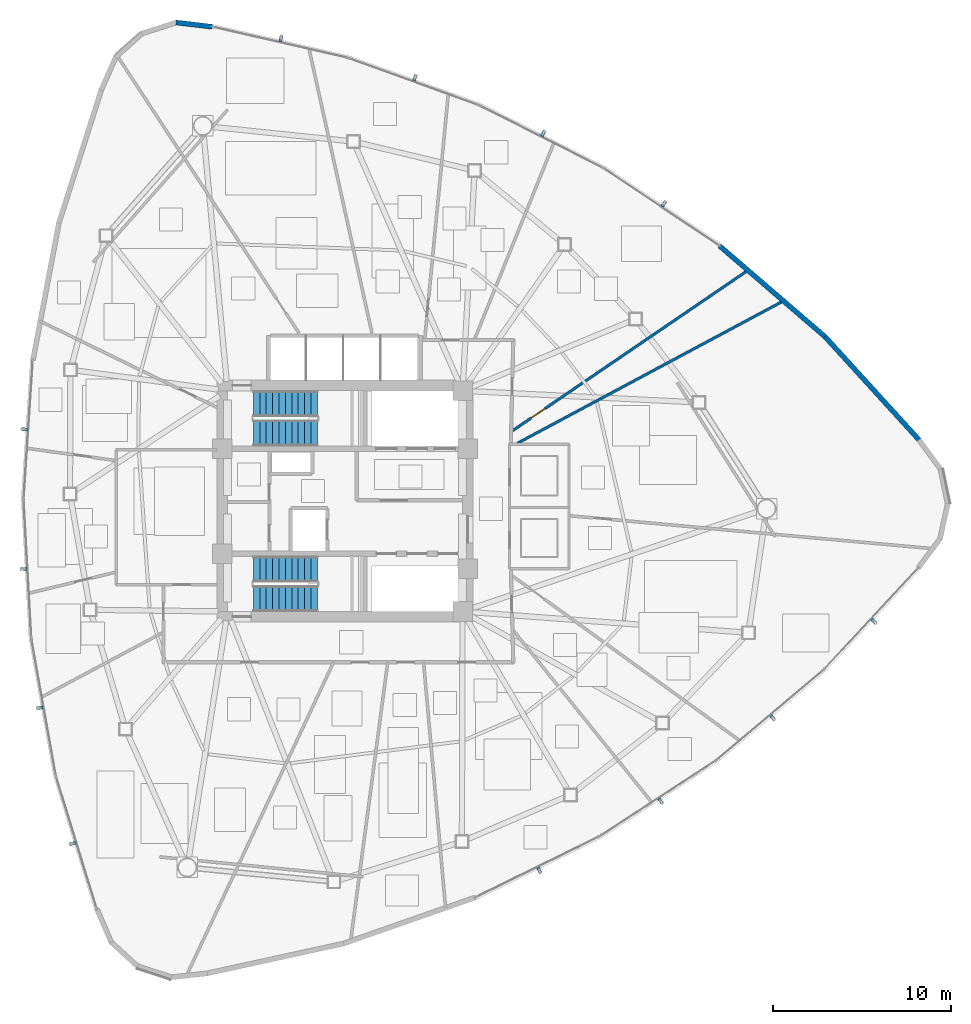
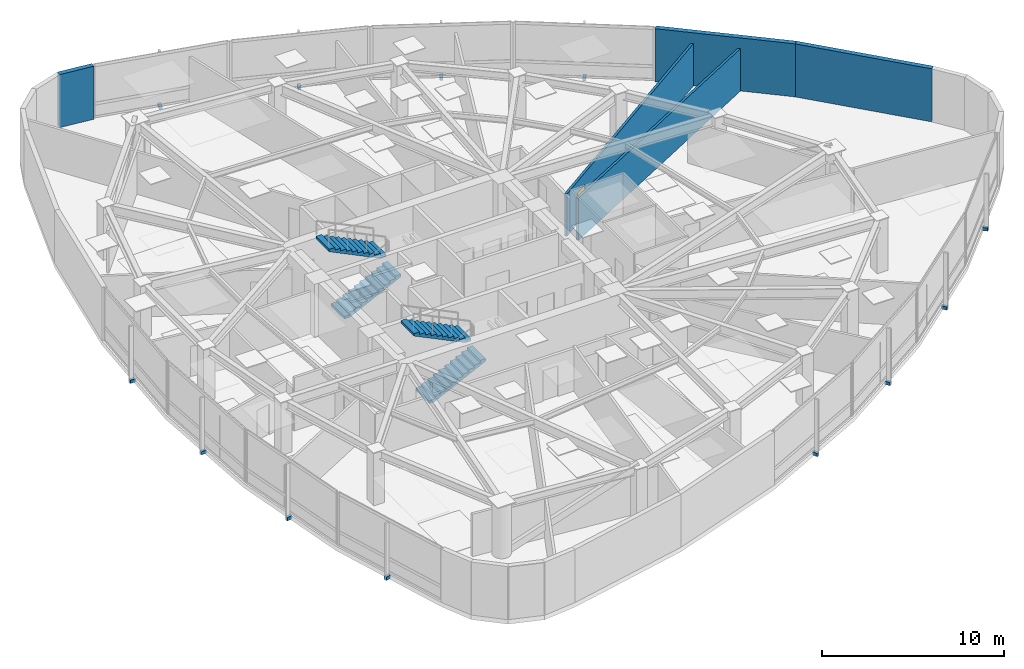
# One storey, part 14 of 18: 12 discrete accessories, 5 walls, 4 stair flights, 1 door, 1 opening, 2 elements without a shape of their own.
"""IFC4 building model written with IfcOpenShell, lengths in metres."""

import ifcopenshell
import ifcopenshell.guid

model = None  # the IFC model being written
_history = None  # IfcOwnerHistory: only IFC2X3 demands one
_inside = {}  # id of a spatial element -> (the spatial element, [elements in it])
_under = {}  # id of a project, library or spatial element -> (it, [spatial elements below it])
_declared = {}  # id of a project -> (the project, [libraries it declares])
_typed = {}  # id of a type object -> (the type object, [elements of that type])
_made_of = {}  # id of a material, layer set ... -> (it, [elements and type objects made of it])


def new_model(schema):
    """Start an empty IFC model of exactly this schema.

    Asked for "IFC4X3", IfcOpenShell would pick the latest addendum, in which some entities
    have other attributes; the version numbers below select the first issue.
    IFC2X3 requires an IfcOwnerHistory on every rooted entity: one is made here for all.
    """
    global model, _history
    if schema == "IFC4X3":
        model = ifcopenshell.file(schema_version=(4, 3, 0, 0))
    else:
        model = ifcopenshell.file(schema=schema)
    _inside.clear()
    _under.clear()
    _declared.clear()
    _typed.clear()
    _made_of.clear()
    _history = None
    if model.schema == "IFC2X3":
        org = make("IfcOrganization", Name="unknown")
        user = make(
            "IfcPersonAndOrganization",
            ThePerson=make("IfcPerson", FamilyName="unknown"),
            TheOrganization=org,
        )
        app = make(
            "IfcApplication",
            ApplicationDeveloper=org,
            Version="unknown",
            ApplicationFullName="unknown",
            ApplicationIdentifier="unknown",
        )
        _history = make(
            "IfcOwnerHistory",
            OwningUser=user,
            OwningApplication=app,
            ChangeAction="ADDED",
            CreationDate=0,
        )
    return model


def make(cls, **values):
    """One entity of the class cls with the attributes given. An attribute that is None is left unset."""
    return model.create_entity(
        cls, **{name: value for name, value in values.items() if value is not None}
    )


def rooted(cls, **values):
    """An entity with a GlobalId (a new one), such as an element, a storey or a relation."""
    return make(cls, GlobalId=ifcopenshell.guid.new(), OwnerHistory=_history, **values)


def si_unit(unit_type, name, prefix=None):
    """IfcSIUnit, for example si_unit("LENGTHUNIT", "METRE", prefix="MILLI")."""
    return make("IfcSIUnit", UnitType=unit_type, Prefix=prefix, Name=name)


def assignment(units):
    """IfcUnitAssignment: the units of a project."""
    return None if units is None else make("IfcUnitAssignment", Units=units)


def point(xyz):
    """IfcCartesianPoint."""
    return None if xyz is None else make("IfcCartesianPoint", Coordinates=xyz)


def direction(xyz):
    """IfcDirection."""
    return None if xyz is None else make("IfcDirection", DirectionRatios=xyz)


def frame(location, z_axis=None, x_axis=None):
    """IfcAxis2Placement3D, a coordinate frame: its origin and axes. An axis left out is left unset."""
    return make(
        "IfcAxis2Placement3D",
        Location=point(location),
        Axis=direction(z_axis),
        RefDirection=direction(x_axis),
    )


def frame_2d(location, x_axis=None):
    """IfcAxis2Placement2D, a coordinate frame in the plane: its origin and x axis."""
    return make(
        "IfcAxis2Placement2D", Location=point(location), RefDirection=direction(x_axis)
    )


def origin():
    """The frame at (0, 0, 0) with its axes left unset."""
    return frame((0.0, 0.0, 0.0))


def origin_2d():
    """The frame at (0, 0) in the plane with its x axis left unset."""
    return frame_2d((0.0, 0.0))


def place(relative_to, where):
    """IfcLocalPlacement: puts the frame where relative to a parent placement (None: the world)."""
    return make(
        "IfcLocalPlacement", PlacementRelTo=relative_to, RelativePlacement=where
    )


def context(
    kind, dimensions, precision=None, world=None, true_north=None, identifier=None
):
    """IfcGeometricRepresentationContext, for example the 3D "Model" context."""
    return make(
        "IfcGeometricRepresentationContext",
        ContextIdentifier=identifier,
        ContextType=kind,
        CoordinateSpaceDimension=dimensions,
        Precision=precision,
        WorldCoordinateSystem=world,
        TrueNorth=true_north,
    )


def subcontext(parent, identifier, kind, view, scale=None):
    """IfcGeometricRepresentationSubContext, for example "Body" below "Model"."""
    return make(
        "IfcGeometricRepresentationSubContext",
        ContextIdentifier=identifier,
        ContextType=kind,
        ParentContext=parent,
        TargetScale=scale,
        TargetView=view,
    )


def project(units=None, contexts=None):
    """IfcProject with its units and contexts."""
    return rooted(
        "IfcProject",
        Name="project",
        RepresentationContexts=contexts,
        UnitsInContext=assignment(units),
    )


def spatial(cls, under=None, at=None, **own):
    """A site, building, storey or space (cls), placed at a placement, below another one or the project."""
    s = rooted(cls, ObjectPlacement=at, **own)
    if under is not None:
        _under.setdefault(under.id(), (under, []))[1].append(s)
    return s


def polyline(points):
    """IfcPolyline through the points."""
    return make("IfcPolyline", Points=[point(p) for p in points])


def profile(cls, at=None, kind="AREA", **sizes):
    """A parametric profile (cls). Its sizes go by their IFC names, for example OverallWidth=200.0."""
    return make(cls, ProfileType=kind, Position=at, **sizes)


def rectangle(**sizes):
    """IfcRectangleProfileDef."""
    return profile("IfcRectangleProfileDef", **sizes)


def outline(outer, holes=None, kind="AREA"):
    """IfcArbitraryClosedProfileDef: a profile drawn as a closed curve; with holes, ...WithVoids."""
    if holes is None:
        return make("IfcArbitraryClosedProfileDef", ProfileType=kind, OuterCurve=outer)
    return make(
        "IfcArbitraryProfileDefWithVoids",
        ProfileType=kind,
        OuterCurve=outer,
        InnerCurves=holes,
    )


def extrude(swept, where, along, depth):
    """IfcExtrudedAreaSolid: the profile swept, set in the frame where, extruded along a direction by depth."""
    return make(
        "IfcExtrudedAreaSolid",
        SweptArea=swept,
        Position=where,
        ExtrudedDirection=direction(along),
        Depth=depth,
    )


def shape(context_of_items, identifier, shape_type, items):
    """IfcShapeRepresentation: the items that make up one representation, for example the "Body"."""
    return make(
        "IfcShapeRepresentation",
        ContextOfItems=context_of_items,
        RepresentationIdentifier=identifier,
        RepresentationType=shape_type,
        Items=items,
    )


def source(mapping_origin, context_of_items, identifier, shape_type, items):
    """IfcRepresentationMap: a shape defined once, which mapped items show again and again."""
    return make(
        "IfcRepresentationMap",
        MappingOrigin=mapping_origin,
        MappedRepresentation=shape(context_of_items, identifier, shape_type, items),
    )


def transform(
    local_origin,
    x_axis=None,
    y_axis=None,
    z_axis=None,
    scale=None,
    scale2=None,
    scale3=None,
    uniform=True,
):
    """IfcCartesianTransformationOperator3D, or its non-uniform kind. x_axis, y_axis, z_axis: its Axis1, 2, 3."""
    if uniform:
        return make(
            "IfcCartesianTransformationOperator3D",
            Axis1=direction(x_axis),
            Axis2=direction(y_axis),
            LocalOrigin=point(local_origin),
            Scale=scale,
            Axis3=direction(z_axis),
        )
    return make(
        "IfcCartesianTransformationOperator3DnonUniform",
        Axis1=direction(x_axis),
        Axis2=direction(y_axis),
        LocalOrigin=point(local_origin),
        Scale=scale,
        Axis3=direction(z_axis),
        Scale2=scale2,
        Scale3=scale3,
    )


def mapped(mapping_source, mapping_target):
    """IfcMappedItem: shows the shape of a source again, moved by a transform."""
    return make(
        "IfcMappedItem", MappingSource=mapping_source, MappingTarget=mapping_target
    )


def material(Name=None, Category=None):
    """IfcMaterial."""
    return make("IfcMaterial", Name=Name, Category=Category)


def layer(
    of_material, thickness, ventilated=None, Name=None, Category=None, Priority=None
):
    """IfcMaterialLayer: one layer of a wall or slab, of a material (None: an air gap)."""
    return make(
        "IfcMaterialLayer",
        Material=of_material,
        LayerThickness=thickness,
        IsVentilated=ventilated,
        Name=Name,
        Category=Category,
        Priority=Priority,
    )


def layer_set(layers, Name=None):
    """IfcMaterialLayerSet."""
    return make("IfcMaterialLayerSet", MaterialLayers=layers, LayerSetName=Name)


def made_of(thing, what):
    """Note that an element or type object is made of a material, layer set ...; save() writes the relation."""
    if what is not None:
        _made_of.setdefault(what.id(), (what, []))[1].append(thing)
    return thing


def type_object(cls, material=None, **own):
    """A type object (cls), such as IfcWallType, which elements share."""
    return made_of(rooted(cls, **own), material)


def type_shapes(of_type, sources):
    """Give a type object the sources (RepresentationMaps) that its elements show as mapped items."""
    of_type.RepresentationMaps = sources


def element(
    cls,
    number,
    at=None,
    inside=None,
    cuts=None,
    type_object=None,
    material=None,
    context=None,
    identifier="Body",
    shape_type=None,
    held_by="IfcProductDefinitionShape",
    body=None,
    shapes=None,
    **own,
):
    """One element of the class cls, such as IfcWall. Its Tag is "e" and its number.

    at: its placement. inside: the storey or other place that contains it. cuts: it is an
    opening in that element (IfcRelVoidsElement). A single representation is given by context,
    identifier, shape_type and body (its items); several are given by shapes. held_by: the class
    of the entity that holds the representations. save() writes the other relations.
    """
    e = rooted(cls, Tag="e%d" % number, ObjectPlacement=at, **own)
    if body is not None:
        shapes = [shape(context, identifier, shape_type, body)]
    if shapes is not None:
        e.Representation = make(held_by, Representations=shapes)
    if inside is not None:
        _inside.setdefault(inside.id(), (inside, []))[1].append(e)
    if cuts is not None:
        rooted(
            "IfcRelVoidsElement", RelatingBuildingElement=cuts, RelatedOpeningElement=e
        )
    if type_object is not None:
        _typed.setdefault(type_object.id(), (type_object, []))[1].append(e)
    return made_of(e, material)


def fill(opening, filler):
    """IfcRelFillsElement: the door or window that sits in an opening."""
    return rooted(
        "IfcRelFillsElement",
        RelatingOpeningElement=opening,
        RelatedBuildingElement=filler,
    )


def aggregate(whole, parts):
    """IfcRelAggregates: a whole, such as a stair, and the parts it consists of."""
    return rooted("IfcRelAggregates", RelatingObject=whole, RelatedObjects=parts)


def save(model, path):
    """Write the relations noted so far, then the file.

    IfcRelAggregates (storeys below a building ...), IfcRelContainedInSpatialStructure (elements
    in a storey), IfcRelDefinesByType, IfcRelAssociatesMaterial and IfcRelDeclares: one each for
    every whole, place, type object, material and project.
    """
    for whole, parts in _under.values():
        aggregate(whole, parts)
    for where, things in _inside.values():
        rooted(
            "IfcRelContainedInSpatialStructure",
            RelatedElements=things,
            RelatingStructure=where,
        )
    for kind, things in _typed.values():
        rooted("IfcRelDefinesByType", RelatedObjects=things, RelatingType=kind)
    for what, things in _made_of.values():
        rooted("IfcRelAssociatesMaterial", RelatedObjects=things, RelatingMaterial=what)
    for by, libraries in _declared.values():
        rooted("IfcRelDeclares", RelatingContext=by, RelatedDefinitions=libraries)
    model.write(path)


model = new_model("IFC4")

# Units and contexts
model_context = context("Model", 3, precision=1e-05, world=origin(), true_north=direction((0.0, 1.0)))
body_context = subcontext(model_context, "Body", "Model", "MODEL_VIEW")
ifc_project = project(units=[si_unit("LENGTHUNIT", "METRE"), si_unit("AREAUNIT", "SQUARE_METRE"), si_unit("VOLUMEUNIT", "CUBIC_METRE"), si_unit("PLANEANGLEUNIT", "RADIAN"), si_unit("MASSUNIT", "GRAM", prefix="KILO")], contexts=[model_context])

# Site, building, storey
site_placement = place(None, origin())
site = spatial("IfcSite", under=ifc_project, at=site_placement, CompositionType="ELEMENT")
building_placement = place(site_placement, origin())
building = spatial("IfcBuilding", under=site, at=building_placement, Name="Tavelor Broadcast Tower", CompositionType="ELEMENT")
storey_placement = place(building_placement, frame((0.0, 0.0, 157.949951171875)))
storey = spatial("IfcBuildingStorey", under=building, at=storey_placement, Name="L37", CompositionType="ELEMENT", Elevation=157.949951171875)

# Walls
ifc_material_1 = material(Name="Precast Concrete C40/50", Category="concrete")
ifc_layer_1 = layer(ifc_material_1, 0.280029296875)
ifc_layer_set_1 = layer_set([ifc_layer_1], Name="Precast Concrete C40/50")
wall_type_1 = type_object("IfcWallType", Name="Insulated Precast Terracotta Facade Wall 280 mm", PredefinedType="STANDARD", material=ifc_layer_set_1)
wall_1_placement = place(storey_placement, frame((42.533203125, 71.6474609375, 0.0), z_axis=(0.0, 0.0, 1.0), x_axis=(-0.993068829845, 0.117534246881, 0.0)))
element("IfcWall", 1, at=wall_1_placement, inside=storey, type_object=wall_type_1, Name="L37 Rounded Corner Structural Cladding Pier 01", PredefinedType="STANDARD", context=body_context, shape_type="SweptSolid", body=[
    extrude(rectangle(XDim=2.0439453125, YDim=0.280029296875, at=frame_2d((1.02197265625, 0.0))), origin(), (0.0, 0.0, 1.0), 3.550048828125),
])
wall_2_placement = place(storey_placement, frame((82.260986328125, 48.42529296875, 0.0), z_axis=(0.0, 0.0, 1.0), x_axis=(-0.67332603312, 0.73934569257, 0.0)))
element("IfcWall", 2, at=wall_2_placement, inside=storey, type_object=wall_type_1, Name="L37 Rounded Corner Structural Cladding Pier 25", PredefinedType="STANDARD", context=body_context, shape_type="SweptSolid", body=[
    extrude(rectangle(XDim=7.86572265625, YDim=0.280029296875, at=frame_2d((3.932861328125, 0.0))), origin(), (0.0, 0.0, 1.0), 3.550048828125),
])
wall_3_placement = place(storey_placement, frame((76.986328125, 54.219970703125, 0.0), z_axis=(0.0, 0.0, 1.0), x_axis=(-0.757832845401, 0.652448755406, 0.0)))
element("IfcWall", 3, at=wall_3_placement, inside=storey, type_object=wall_type_1, Name="L37 Rounded Corner Structural Cladding Pier 26", PredefinedType="STANDARD", context=body_context, shape_type="SweptSolid", body=[
    extrude(rectangle(XDim=7.853515625, YDim=0.280029296875, at=frame_2d((3.9267578125, 0.0))), origin(), (0.0, 0.0, 1.0), 3.550048828125),
])
ifc_material_2 = material(Name="Gypsum Acoustic Plasterboard 150 mm", Category="gypsum")
ifc_layer_2 = layer(ifc_material_2, 0.14990234375)
ifc_layer_set_2 = layer_set([ifc_layer_2], Name="Gypsum Acoustic Plasterboard 150 mm")
wall_type_2 = type_object("IfcWallType", Name="Interior Acoustic Partition Wall 150 mm", PredefinedType="PARTITIONING", material=ifc_layer_set_2)
wall_4_placement = place(storey_placement, frame((59.67578125, 48.25, 0.0), z_axis=(0.0, 0.0, 1.0), x_axis=(0.881769613101, 0.471680346645, 0.0)))
element("IfcWall", 4, at=wall_4_placement, inside=storey, type_object=wall_type_2, Name="L37 Radial Compartment Wall 15", PredefinedType="PARTITIONING", context=body_context, shape_type="SweptSolid", body=[
    extrude(rectangle(XDim=16.969482421875, YDim=0.14990234375, at=frame_2d((8.48486328125, 0.0))), origin(), (0.0, 0.0, 1.0), 2.8349609375),
])

# Wall, opening, door
wall_5_placement = place(storey_placement, frame((59.330078125, 48.904296875, 0.0), z_axis=(0.0, 0.0, 1.0), x_axis=(0.826397261786, 0.563087529352, 0.0)))
wall_5 = element("IfcWall", 5, at=wall_5_placement, inside=storey, type_object=wall_type_2, Name="L37 Radial Compartment Wall 16", PredefinedType="PARTITIONING", context=body_context, shape_type="SweptSolid", body=[
    extrude(rectangle(XDim=16.107421875, YDim=0.14990234375, at=frame_2d((8.0537109375, 0.0))), origin(), (0.0, 0.0, 1.0), 2.8349609375),
])
opening_placement = place(wall_5_placement, frame((1.35009765625, 0.0, 0.0)))
opening = element("IfcOpeningElement", 6, at=opening_placement, cuts=wall_5, Name="Opening DR18", PredefinedType="OPENING", context=body_context, shape_type="SweptSolid", body=[
    extrude(rectangle(XDim=0.949951171875, YDim=2.050048828125, at=frame_2d((0.47509765625, 1.02490234375))), frame((0.0, 0.0849609375, 0.0), z_axis=(0.0, -1.0, 0.0), x_axis=(1.0, 0.0, 0.0)), (0.0, 0.0, 1.0), 0.169921875),
])
ifc_material_3 = material(Name="Timber Solid Core Hardwood", Category="wood")
door_type = type_object("IfcDoorType", Name="Corridor Rated Compartment Door 950x2050", OperationType="NOTDEFINED", PredefinedType="DOOR", material=ifc_material_3)
door_placement = place(opening_placement, origin())
door = element("IfcDoor", 7, at=door_placement, inside=storey, type_object=door_type, Name="L37 Suite Connecting Door 15", OperationType="SINGLE_SWING_RIGHT", OverallHeight=2.050048828125, OverallWidth=0.949951171875, PredefinedType="DOOR", context=body_context, shape_type="SweptSolid", body=[
    extrude(rectangle(XDim=0.949951171875, YDim=2.050048828125, at=frame_2d((0.47509765625, 1.02490234375))), frame((0.0, 0.02490234375, 0.0), z_axis=(0.0, -1.0, 0.0), x_axis=(1.0, 0.0, 0.0)), (0.0, 0.0, 1.0), 0.050048828125),
])
fill(opening, door)

# Stair, stair flights
ifc_material_4 = material(Name="Concrete C40/50", Category="concrete")
stair_type = type_object("IfcStairType", Name="Reinforced Concrete Protected Dogleg Stair 1450 mm", PredefinedType="HALF_TURN_STAIR", material=ifc_material_4)
stair_1_placement = place(storey_placement, origin())
stair_1 = element("IfcStair", 8, at=stair_1_placement, inside=storey, type_object=stair_type, Name="L37 Protected Core Exit Stair ST1", PredefinedType="HALF_TURN_STAIR")
stair_flight_type = type_object("IfcStairFlightType", Name="Reinforced Concrete Stair Flight 1450 mm", PredefinedType="STRAIGHT", material=ifc_material_4)
stair_flight_1_placement = place(storey_placement, frame((44.85009765625, 48.824951171875, 0.0), z_axis=(0.0, 0.0, 1.0), x_axis=(1.0, 0.0, 0.0)))
stair_flight_1 = element("IfcStairFlight", 9, at=stair_flight_1_placement, type_object=stair_flight_type, Name="ST1 flight 1", NumberOfRisers=11, NumberOfTreads=10, PredefinedType="STRAIGHT", RiserHeight=0.175, TreadLength=0.36, context=body_context, shape_type="SweptSolid", body=[
    extrude(outline(polyline([(0.0, 0.0), (0.0, 0.175048828125), (0.360107421875, 0.175048828125), (0.360107421875, 0.35009765625), (0.719970703125, 0.35009765625), (0.719970703125, 0.52490234375), (1.080078125, 0.52490234375), (1.080078125, 0.699951171875), (1.43994140625, 0.699951171875), (1.43994140625, 0.875), (1.800048828125, 0.875), (1.800048828125, 1.050048828125), (2.159912109375, 1.050048828125), (2.159912109375, 1.22509765625), (2.52001953125, 1.22509765625), (2.52001953125, 1.39990234375), (2.8798828125, 1.39990234375), (2.8798828125, 1.574951171875), (3.239990234375, 1.574951171875), (3.239990234375, 1.75), (3.60009765625, 1.75), (3.60009765625, 1.925048828125), (3.60009765625, 1.583251953125), (0.3427734375, 0.0), (0.0, 0.0)])), frame((0.0, 0.72509765625, 0.0), z_axis=(0.0, -1.0, 0.0), x_axis=(1.0, 0.0, 0.0)), (0.0, 0.0, 1.0), 1.449951171875),
])
stair_flight_2_placement = place(storey_placement, frame((48.449951171875, 50.47509765625, 1.925048828125), z_axis=(0.0, 0.0, 1.0), x_axis=(-1.0, 0.0, 0.0)))
stair_flight_2 = element("IfcStairFlight", 10, at=stair_flight_2_placement, type_object=stair_flight_type, Name="ST1 flight 2", NumberOfRisers=11, NumberOfTreads=10, PredefinedType="STRAIGHT", RiserHeight=0.175, TreadLength=0.36, context=body_context, shape_type="SweptSolid", body=[
    extrude(outline(polyline([(0.0, 0.0), (0.0, 0.175048828125), (0.360107421875, 0.175048828125), (0.360107421875, 0.35009765625), (0.719970703125, 0.35009765625), (0.719970703125, 0.52490234375), (1.080078125, 0.52490234375), (1.080078125, 0.699951171875), (1.43994140625, 0.699951171875), (1.43994140625, 0.875), (1.800048828125, 0.875), (1.800048828125, 1.050048828125), (2.159912109375, 1.050048828125), (2.159912109375, 1.22509765625), (2.52001953125, 1.22509765625), (2.52001953125, 1.39990234375), (2.8798828125, 1.39990234375), (2.8798828125, 1.574951171875), (3.239990234375, 1.574951171875), (3.239990234375, 1.75), (3.60009765625, 1.75), (3.60009765625, 1.925048828125), (3.60009765625, 1.583251953125), (0.3427734375, 0.0), (0.0, 0.0)])), frame((0.0, 0.72509765625, 0.0), z_axis=(0.0, -1.0, 0.0), x_axis=(1.0, 0.0, 0.0)), (0.0, 0.0, 1.0), 1.449951171875),
])
aggregate(stair_1, [stair_flight_1, stair_flight_2])

stair_2_placement = place(storey_placement, origin())
stair_2 = element("IfcStair", 11, at=stair_2_placement, inside=storey, type_object=stair_type, Name="L37 Protected Core Exit Stair ST2", PredefinedType="HALF_TURN_STAIR")
stair_flight_3_placement = place(storey_placement, frame((44.85009765625, 39.52490234375, 0.0), z_axis=(0.0, 0.0, 1.0), x_axis=(1.0, 0.0, 0.0)))
stair_flight_3 = element("IfcStairFlight", 12, at=stair_flight_3_placement, type_object=stair_flight_type, Name="ST2 flight 1", NumberOfRisers=11, NumberOfTreads=10, PredefinedType="STRAIGHT", RiserHeight=0.175, TreadLength=0.36, context=body_context, shape_type="SweptSolid", body=[
    extrude(outline(polyline([(0.0, 0.0), (0.0, 0.175048828125), (0.360107421875, 0.175048828125), (0.360107421875, 0.35009765625), (0.719970703125, 0.35009765625), (0.719970703125, 0.52490234375), (1.080078125, 0.52490234375), (1.080078125, 0.699951171875), (1.43994140625, 0.699951171875), (1.43994140625, 0.875), (1.800048828125, 0.875), (1.800048828125, 1.050048828125), (2.159912109375, 1.050048828125), (2.159912109375, 1.22509765625), (2.52001953125, 1.22509765625), (2.52001953125, 1.39990234375), (2.8798828125, 1.39990234375), (2.8798828125, 1.574951171875), (3.239990234375, 1.574951171875), (3.239990234375, 1.75), (3.60009765625, 1.75), (3.60009765625, 1.925048828125), (3.60009765625, 1.583251953125), (0.3427734375, 0.0), (0.0, 0.0)])), frame((0.0, 0.72509765625, 0.0), z_axis=(0.0, -1.0, 0.0), x_axis=(1.0, 0.0, 0.0)), (0.0, 0.0, 1.0), 1.449951171875),
])
stair_flight_4_placement = place(storey_placement, frame((48.449951171875, 41.175048828125, 1.925048828125), z_axis=(0.0, 0.0, 1.0), x_axis=(-1.0, 0.0, 0.0)))
stair_flight_4 = element("IfcStairFlight", 13, at=stair_flight_4_placement, type_object=stair_flight_type, Name="ST2 flight 2", NumberOfRisers=11, NumberOfTreads=10, PredefinedType="STRAIGHT", RiserHeight=0.175, TreadLength=0.36, context=body_context, shape_type="SweptSolid", body=[
    extrude(outline(polyline([(0.0, 0.0), (0.0, 0.175048828125), (0.360107421875, 0.175048828125), (0.360107421875, 0.35009765625), (0.719970703125, 0.35009765625), (0.719970703125, 0.52490234375), (1.080078125, 0.52490234375), (1.080078125, 0.699951171875), (1.43994140625, 0.699951171875), (1.43994140625, 0.875), (1.800048828125, 0.875), (1.800048828125, 1.050048828125), (2.159912109375, 1.050048828125), (2.159912109375, 1.22509765625), (2.52001953125, 1.22509765625), (2.52001953125, 1.39990234375), (2.8798828125, 1.39990234375), (2.8798828125, 1.574951171875), (3.239990234375, 1.574951171875), (3.239990234375, 1.75), (3.60009765625, 1.75), (3.60009765625, 1.925048828125), (3.60009765625, 1.583251953125), (0.3427734375, 0.0), (0.0, 0.0)])), frame((0.0, 0.72509765625, 0.0), z_axis=(0.0, -1.0, 0.0), x_axis=(1.0, 0.0, 0.0)), (0.0, 0.0, 1.0), 1.449951171875),
])
aggregate(stair_2, [stair_flight_3, stair_flight_4])

# Discrete accessories
ifc_material_5 = material(Name="Steel S355", Category="steel")
discrete_accessory_type = type_object("IfcDiscreteAccessoryType", Name="Stainless Baguette Outrigger Support Bracket 260x180", PredefinedType="BRACKET", material=ifc_material_5)
shared_shape = source(origin(), body_context, "Body", "SweptSolid", [
    extrude(rectangle(XDim=0.179931640625, YDim=0.340087890625, at=origin_2d()), origin(), (0.0, 0.0, 1.0), 0.216064453125),
])
type_shapes(discrete_accessory_type, [shared_shape])
for number, where, z_axis, x_axis, name in (
    (14, (31.98388671875, 49.03662109375, -0.2578125), (0.0, 0.0, 1.0), (-0.065925597951, -0.997824541457, 0.0), "L37 Baguette Outrigger Bracket 373"),
    (15, (31.942626953125, 41.18994140625, -0.2578125), (0.0, 0.0, 1.0), (0.055472980025, -0.998460188734, 0.0), "L37 Baguette Outrigger Bracket 374"),
    (16, (32.851318359375, 33.39599609375, -0.2578125), (0.0, 0.0, 1.0), (0.175882186689, -0.984411223222, 0.0), "L37 Baguette Outrigger Bracket 375"),
    (17, (34.69677734375, 25.769287109375, -0.2578125), (0.0, 0.0, 1.0), (0.293706672624, -0.955895596002, 0.0), "L37 Baguette Outrigger Bracket 376"),
    (18, (60.912353515625, 24.261474609375, -0.2578125), (0.0, 0.0, 1.0), (0.897104200397, 0.441819028143, 0.0), "L37 Baguette Outrigger Bracket 377"),
    (19, (67.728271484375, 28.149169921875, -0.2578125), (0.0, 0.0, 1.0), (0.836955398099, 0.547271104292, 0.0), "L37 Baguette Outrigger Bracket 378"),
    (20, (74.023681640625, 32.833251953125, -0.2578125), (0.0, 0.0, 1.0), (0.764584033736, 0.644524053357, 0.0), "L37 Baguette Outrigger Bracket 379"),
    (21, (79.705810546875, 38.24462890625, -0.2578125), (0.0, 0.0, 1.0), (0.680976533192, 0.732305237754, 0.0), "L37 Baguette Outrigger Bracket 380"),
    (22, (67.90380859375, 61.701904296875, -0.2578125), (0.0, 0.0, 1.0), (-0.831178602446, 0.556005513314, 0.0), "L37 Baguette Outrigger Bracket 381"),
    (23, (61.12890625, 65.660888671875, -0.2578125), (0.0, 0.0, 1.0), (-0.892428378124, 0.451189084442, 0.0), "L37 Baguette Outrigger Bracket 382"),
    (24, (53.9248046875, 68.770751953125, -0.2578125), (0.0, 0.0, 1.0), (-0.940466220425, 0.339887169865, 0.0), "L37 Baguette Outrigger Bracket 383"),
    (25, (46.397216796875, 70.986083984375, -0.2578125), (0.0, 0.0, 1.0), (-0.974683205815, 0.223590358248, 0.0), "L37 Baguette Outrigger Bracket 384"),
):
    element("IfcDiscreteAccessory", number, at=place(storey_placement, frame(where, z_axis=z_axis, x_axis=x_axis)), inside=storey, type_object=discrete_accessory_type, Name=name, PredefinedType="BRACKET", context=body_context, shape_type="MappedRepresentation", body=[
        mapped(shared_shape, transform((0.0, 0.0, 0.0), scale=1.0)),
    ])

save(model, "model.ifc")
